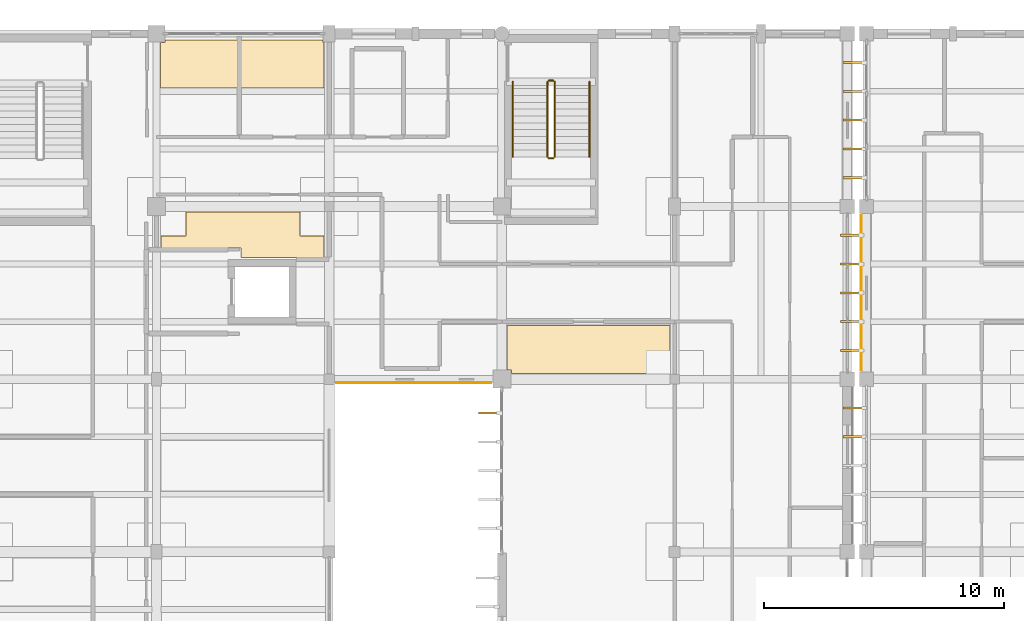
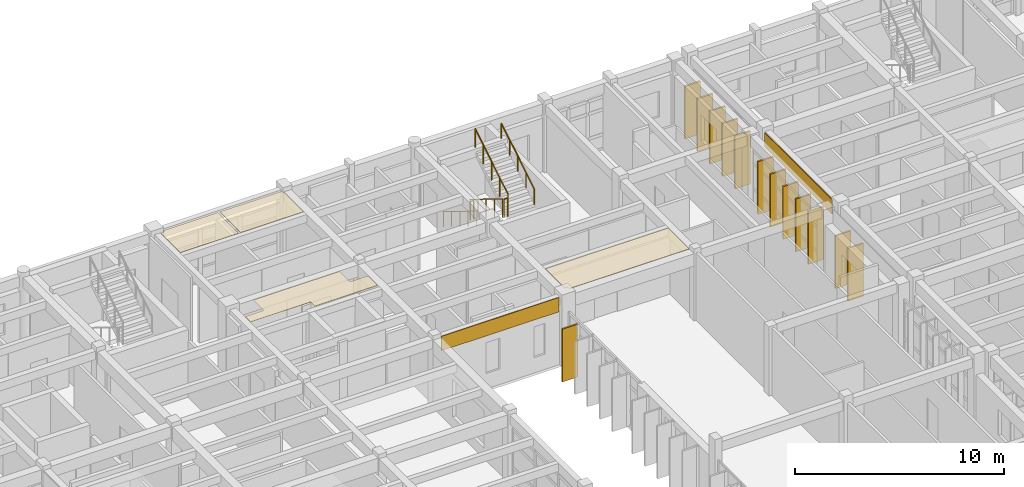
# One storey, part 53 of 55: 13 shading devices, 6 coverings, 6 railings.
"""IFC4 building model written with IfcOpenShell, lengths in metres."""

from ifc_helpers import new_model, si_unit, direction, frame, origin, origin_2d, place, context, subcontext, project, spatial, polyline, rectangle, circle, outline, extrude, material, layer, layer_set, material_profile, profile_set, type_object, element, save


model = new_model("IFC4")

# Units and contexts
model_context = context("Model", 3, precision=1e-05, world=origin(), true_north=direction((0.0, 1.0)))
body_context = subcontext(model_context, "Body", "Model", "MODEL_VIEW")
ifc_project = project(units=[si_unit("LENGTHUNIT", "METRE"), si_unit("AREAUNIT", "SQUARE_METRE"), si_unit("VOLUMEUNIT", "CUBIC_METRE"), si_unit("PLANEANGLEUNIT", "RADIAN"), si_unit("MASSUNIT", "GRAM", prefix="KILO")], contexts=[model_context])

# Site, building, storey
site_placement = place(None, origin())
site = spatial("IfcSite", under=ifc_project, at=site_placement, CompositionType="ELEMENT")
building_placement = place(site_placement, origin())
building = spatial("IfcBuilding", under=site, at=building_placement, Name="Steenspoor Specialist Clinic", CompositionType="ELEMENT")
storey_placement = place(building_placement, frame((0.0, 0.0, 13.199951171875)))
storey = spatial("IfcBuildingStorey", under=building, at=storey_placement, Name="L03", CompositionType="ELEMENT", Elevation=13.199951171875)

# Coverings
ifc_material_1 = material(Name="Washable acoustic mineral ceiling board", Category="gypsum")
ifc_layer_1 = layer(ifc_material_1, 0.02490234375)
ifc_layer_set_1 = layer_set([ifc_layer_1], Name="Washable acoustic mineral ceiling board")
covering_type_1 = type_object("IfcCoveringType", Name="COV-CEIL-ACOUSTIC", PredefinedType="CEILING", material=ifc_layer_set_1)
covering_1_placement = place(storey_placement, frame((0.0, 0.0, 3.925048828125)))
element("IfcCovering", 1, at=covering_1_placement, inside=storey, type_object=covering_type_1, Name="Acoustic Clinical Ceiling 166", PredefinedType="CEILING", context=body_context, shape_type="SweptSolid", body=[
    extrude(outline(polyline([(103.02001953125, 94.340087890625), (103.02001953125, 96.199951171875), (109.804931640625, 96.199951171875), (109.804931640625, 94.195068359375), (103.18994140625, 94.195068359375), (103.18994140625, 94.340087890625), (103.02001953125, 94.340087890625)])), origin(), (0.0, 0.0, 1.0), 0.02490234375),
])
covering_2_placement = place(storey_placement, frame((0.0, 0.0, 3.925048828125)))
element("IfcCovering", 2, at=covering_2_placement, inside=storey, type_object=covering_type_1, Name="Acoustic Clinical Ceiling 173", PredefinedType="CEILING", context=body_context, shape_type="SweptSolid", body=[
    extrude(outline(polyline([(91.9150390625, 99.014892578125), (91.9150390625, 99.4150390625), (88.594970703125, 99.4150390625), (88.594970703125, 99.929931640625), (89.6201171875, 99.929931640625), (89.6201171875, 100.929931640625), (94.3798828125, 100.929931640625), (94.3798828125, 99.929931640625), (95.3798828125, 99.929931640625), (95.3798828125, 99.014892578125), (91.9150390625, 99.014892578125)])), origin(), (0.0, 0.0, 1.0), 0.02490234375),
])
covering_3_placement = place(storey_placement, frame((0.0, 0.0, 3.925048828125)))
element("IfcCovering", 3, at=covering_3_placement, inside=storey, type_object=covering_type_1, Name="Acoustic Clinical Ceiling 176", PredefinedType="CEILING", context=body_context, shape_type="SweptSolid", body=[
    extrude(outline(polyline([(91.784912109375, 106.10009765625), (88.570068359375, 106.10009765625), (88.570068359375, 107.985107421875), (88.764892578125, 107.985107421875), (88.764892578125, 108.090087890625), (91.784912109375, 108.090087890625), (91.784912109375, 106.10009765625)])), origin(), (0.0, 0.0, 1.0), 0.02490234375),
])
covering_4_placement = place(storey_placement, frame((0.0, 0.0, 3.925048828125)))
element("IfcCovering", 4, at=covering_4_placement, inside=storey, type_object=covering_type_1, Name="Acoustic Clinical Ceiling 177", PredefinedType="CEILING", context=body_context, shape_type="SweptSolid", body=[
    extrude(outline(polyline([(95.3349609375, 108.090087890625), (95.3349609375, 107.985107421875), (95.3798828125, 107.985107421875), (95.3798828125, 106.10009765625), (91.9150390625, 106.10009765625), (91.9150390625, 108.090087890625), (95.3349609375, 108.090087890625)])), origin(), (0.0, 0.0, 1.0), 0.02490234375),
])
ifc_material_2 = material(Name="Glazed ceramic relief spandrel cladding", Category="masonry")
ifc_layer_2 = layer(ifc_material_2, 0.034912109375)
ifc_layer_set_2 = layer_set([ifc_layer_2], Name="Glazed ceramic relief spandrel cladding")
covering_type_2 = type_object("IfcCoveringType", Name="COV-CLAD-CERAMIC", PredefinedType="CLADDING", material=ifc_layer_set_2)
for number, where, z_axis, x_axis, name in (
    (5, (99.125, 93.81005859375, 3.115234375), (0.0, 0.0, 1.0), (-1.0, 0.0, 0.0), "Spandrel Cladding 51"),
    (6, (117.784912109375, 97.550048828125, 3.115234375), (0.0, 0.0, 1.0), (0.0, 1.0, 0.0), "Spandrel Cladding 93"),
):
    element("IfcCovering", number, at=place(storey_placement, frame(where, z_axis=z_axis, x_axis=x_axis)), inside=storey, type_object=covering_type_2, Name=name, PredefinedType="CLADDING", context=body_context, shape_type="SweptSolid", body=[
        extrude(rectangle(XDim=6.47998046875, YDim=0.0400390625, at=origin_2d()), origin(), (0.0, 0.0, 1.0), 0.840087890625),
    ])

# Railings
ifc_material_3 = material(Name="Painted architectural steel balustrade", Category="steel")
railing_type_1 = type_object("IfcRailingType", Name="RAIL-GUARD-1100", PredefinedType="GUARDRAIL", material=ifc_material_3)
railing_1_placement = place(storey_placement, frame((104.699951171875, 106.35009765625, 0.175048828125)))
element("IfcRailing", 7, at=railing_1_placement, inside=storey, type_object=railing_type_1, Name="L03 ST-V4B stair guard 1", PredefinedType="GUARDRAIL", context=body_context, shape_type="SweptSolid", body=[
    extrude(circle(Radius=0.02392578125, at=origin_2d()), frame((0.0, 0.0, 1.076171875), z_axis=(0.0, -0.852166034122, 0.523271488128), x_axis=(1.0, 0.0, 0.0)), (0.0, 0.0, 1.0), 3.678955078125),
    extrude(circle(Radius=0.02099609375, at=origin_2d()), origin(), (0.0, 0.0, 1.0), 1.052001953125),
    extrude(circle(Radius=0.02099609375, at=origin_2d()), frame((0.0, -0.78369140625, 0.481201171875)), (0.0, 0.0, 1.0), 1.052001953125),
    extrude(circle(Radius=0.02099609375, at=origin_2d()), frame((0.0, -1.5673828125, 0.96240234375)), (0.0, 0.0, 1.0), 1.052001953125),
    extrude(circle(Radius=0.02099609375, at=origin_2d()), frame((0.0, -2.351318359375, 1.44384765625)), (0.0, 0.0, 1.0), 1.052001953125),
    extrude(circle(Radius=0.02099609375, at=origin_2d()), frame((0.0, -3.135009765625, 1.925048828125)), (0.0, 0.0, 1.0), 1.052001953125),
])
railing_2_placement = place(storey_placement, frame((104.75, 103.1650390625, 2.10009765625)))
element("IfcRailing", 8, at=railing_2_placement, inside=storey, type_object=railing_type_1, Name="L03 ST-V4B stair guard 2", PredefinedType="GUARDRAIL", context=body_context, shape_type="SweptSolid", body=[
    extrude(circle(Radius=0.02392578125, at=origin_2d()), frame((0.0, 0.0, 1.076171875), z_axis=(1.0, 0.0, 0.0), x_axis=(0.0, 1.0, 0.0)), (0.0, 0.0, 1.0), 0.199951171875),
    extrude(circle(Radius=0.02099609375, at=origin_2d()), origin(), (0.0, 0.0, 1.0), 1.052001953125),
    extrude(circle(Radius=0.02099609375, at=origin_2d()), frame((0.199951171875, 0.0, 0.0)), (0.0, 0.0, 1.0), 1.052001953125),
])
railing_3_placement = place(storey_placement, frame((105.0, 103.215087890625, 2.275146484375)))
element("IfcRailing", 9, at=railing_3_placement, inside=storey, type_object=railing_type_1, Name="L03 ST-V4B stair guard 3", PredefinedType="GUARDRAIL", context=body_context, shape_type="SweptSolid", body=[
    extrude(circle(Radius=0.02392578125, at=origin_2d()), frame((0.0, 0.0, 1.076171875), z_axis=(0.0, 0.852195625947, 0.523223293744), x_axis=(-1.0, 0.0, 0.0)), (0.0, 0.0, 1.0), 3.6787109375),
    extrude(circle(Radius=0.02099609375, at=origin_2d()), origin(), (0.0, 0.0, 1.0), 1.052001953125),
    extrude(circle(Radius=0.02099609375, at=origin_2d()), frame((0.0, 0.78369140625, 0.481201171875)), (0.0, 0.0, 1.0), 1.052001953125),
    extrude(circle(Radius=0.02099609375, at=origin_2d()), frame((0.0, 1.5673828125, 0.96240234375)), (0.0, 0.0, 1.0), 1.052001953125),
    extrude(circle(Radius=0.02099609375, at=origin_2d()), frame((0.0, 2.351318359375, 1.443603515625)), (0.0, 0.0, 1.0), 1.052001953125),
    extrude(circle(Radius=0.02099609375, at=origin_2d()), frame((0.0, 3.135009765625, 1.9248046875)), (0.0, 0.0, 1.0), 1.052001953125),
])
railing_4_placement = place(storey_placement, frame((104.75, 106.39990234375, 0.0)))
element("IfcRailing", 10, at=railing_4_placement, inside=storey, type_object=railing_type_1, Name="L03 ST-V4B stair guard 4", PredefinedType="GUARDRAIL", context=body_context, shape_type="SweptSolid", body=[
    extrude(circle(Radius=0.02392578125, at=origin_2d()), frame((0.0, 0.0, 1.076171875), z_axis=(1.0, 0.0, 0.0), x_axis=(0.0, 1.0, 0.0)), (0.0, 0.0, 1.0), 0.199951171875),
    extrude(circle(Radius=0.02099609375, at=origin_2d()), origin(), (0.0, 0.0, 1.0), 1.052001953125),
    extrude(circle(Radius=0.02099609375, at=origin_2d()), frame((0.199951171875, 0.0, 0.0)), (0.0, 0.0, 1.0), 1.052001953125),
])
ifc_material_4 = material(Name="Brushed stainless steel clinical handrail", Category="steel")
railing_type_2 = type_object("IfcRailingType", Name="RAIL-HAND-900", PredefinedType="HANDRAIL", material=ifc_material_4)
railing_5_placement = place(storey_placement, frame((103.25, 106.35009765625, 0.175048828125)))
element("IfcRailing", 11, at=railing_5_placement, inside=storey, type_object=railing_type_2, Name="L03 ST-V4B stair handrail 1", PredefinedType="HANDRAIL", context=body_context, shape_type="SweptSolid", body=[
    extrude(circle(Radius=0.02392578125, at=origin_2d()), frame((0.0, 0.0, 0.8759765625), z_axis=(0.0, -0.852166034122, 0.523271488128), x_axis=(1.0, 0.0, 0.0)), (0.0, 0.0, 1.0), 3.678955078125),
    extrude(circle(Radius=0.02099609375, at=origin_2d()), origin(), (0.0, 0.0, 1.0), 0.851806640625),
    extrude(circle(Radius=0.02099609375, at=origin_2d()), frame((0.0, -0.78369140625, 0.481201171875)), (0.0, 0.0, 1.0), 0.851806640625),
    extrude(circle(Radius=0.02099609375, at=origin_2d()), frame((0.0, -1.5673828125, 0.96240234375)), (0.0, 0.0, 1.0), 0.851806640625),
    extrude(circle(Radius=0.02099609375, at=origin_2d()), frame((0.0, -2.351318359375, 1.44384765625)), (0.0, 0.0, 1.0), 0.851806640625),
    extrude(circle(Radius=0.02099609375, at=origin_2d()), frame((0.0, -3.135009765625, 1.925048828125)), (0.0, 0.0, 1.0), 0.851806640625),
])
railing_6_placement = place(storey_placement, frame((106.449951171875, 103.215087890625, 2.275146484375)))
element("IfcRailing", 12, at=railing_6_placement, inside=storey, type_object=railing_type_2, Name="L03 ST-V4B stair handrail 2", PredefinedType="HANDRAIL", context=body_context, shape_type="SweptSolid", body=[
    extrude(circle(Radius=0.02392578125, at=origin_2d()), frame((0.0, 0.0, 0.8759765625), z_axis=(0.0, 0.852195625947, 0.523223293744), x_axis=(-1.0, 0.0, 0.0)), (0.0, 0.0, 1.0), 3.6787109375),
    extrude(circle(Radius=0.02099609375, at=origin_2d()), origin(), (0.0, 0.0, 1.0), 0.851806640625),
    extrude(circle(Radius=0.02099609375, at=origin_2d()), frame((0.0, 0.78369140625, 0.481201171875)), (0.0, 0.0, 1.0), 0.851806640625),
    extrude(circle(Radius=0.02099609375, at=origin_2d()), frame((0.0, 1.5673828125, 0.96240234375)), (0.0, 0.0, 1.0), 0.851806640625),
    extrude(circle(Radius=0.02099609375, at=origin_2d()), frame((0.0, 2.351318359375, 1.443603515625)), (0.0, 0.0, 1.0), 0.851806640625),
    extrude(circle(Radius=0.02099609375, at=origin_2d()), frame((0.0, 3.135009765625, 1.9248046875)), (0.0, 0.0, 1.0), 0.851806640625),
])

# Shading devices
ifc_material_5 = material(Name="Glulam GL28h", Category="wood")
ifc_material_profile = material_profile(ifc_material_5, rectangle(XDim=0.090087890625, YDim=0.85009765625, at=origin_2d()), Name="GL28H-90X850")
ifc_profile_set = profile_set([ifc_material_profile], Name="Glulam GL28h")
shading_device_type = type_object("IfcShadingDeviceType", Name="SHADE-FIN-850", PredefinedType="JALOUSIE", material=ifc_profile_set)
for number, where, z_axis, x_axis, name in (
    (13, (102.2451171875, 92.53759765625, 0.0), (0.0, 0.0, 1.0), (0.0, 1.0, 0.0), "Glulam Sun Fin FIN-V4-L03-0107"),
    (14, (117.445068359375, 91.550048828125, 0.0), (0.0, 0.0, 1.0), (0.0, 1.0, 0.0), "Glulam Sun Fin FIN-V6-L03-0198"),
    (15, (117.445068359375, 92.75, 0.0), (0.0, 0.0, 1.0), (0.0, 1.0, 0.0), "Glulam Sun Fin FIN-V6-L03-0199"),
    (16, (117.330078125, 95.14990234375, 0.0), (0.0, 0.0, 1.0), (0.0, 1.0, 0.0), "Glulam Sun Fin FIN-V6-L03-0200"),
    (17, (117.330078125, 96.35009765625, 0.0), (0.0, 0.0, 1.0), (0.0, 1.0, 0.0), "Glulam Sun Fin FIN-V6-L03-0201"),
    (18, (117.330078125, 97.550048828125, 0.0), (0.0, 0.0, 1.0), (0.0, 1.0, 0.0), "Glulam Sun Fin FIN-V6-L03-0202"),
    (19, (117.330078125, 98.75, 0.0), (0.0, 0.0, 1.0), (0.0, 1.0, 0.0), "Glulam Sun Fin FIN-V6-L03-0203"),
    (20, (117.330078125, 99.949951171875, 0.0), (0.0, 0.0, 1.0), (0.0, 1.0, 0.0), "Glulam Sun Fin FIN-V6-L03-0204"),
    (21, (117.445068359375, 102.35009765625, 0.0), (0.0, 0.0, 1.0), (0.0, 1.0, 0.0), "Glulam Sun Fin FIN-V6-L03-0205"),
    (22, (117.445068359375, 103.550048828125, 0.0), (0.0, 0.0, 1.0), (0.0, 1.0, 0.0), "Glulam Sun Fin FIN-V6-L03-0206"),
    (23, (117.445068359375, 104.75, 0.0), (0.0, 0.0, 1.0), (0.0, 1.0, 0.0), "Glulam Sun Fin FIN-V6-L03-0207"),
    (24, (117.445068359375, 105.949951171875, 0.0), (0.0, 0.0, 1.0), (0.0, 1.0, 0.0), "Glulam Sun Fin FIN-V6-L03-0208"),
    (25, (117.445068359375, 107.14990234375, 0.0), (0.0, 0.0, 1.0), (0.0, 1.0, 0.0), "Glulam Sun Fin FIN-V6-L03-0209"),
):
    element("IfcShadingDevice", number, at=place(storey_placement, frame(where, z_axis=z_axis, x_axis=x_axis)), inside=storey, type_object=shading_device_type, Name=name, PredefinedType="JALOUSIE", context=body_context, shape_type="SweptSolid", body=[
        extrude(rectangle(XDim=0.090087890625, YDim=0.85009765625, at=origin_2d()), origin(), (0.0, 0.0, 1.0), 3.080078125),
    ])

save(model, "model.ifc")
